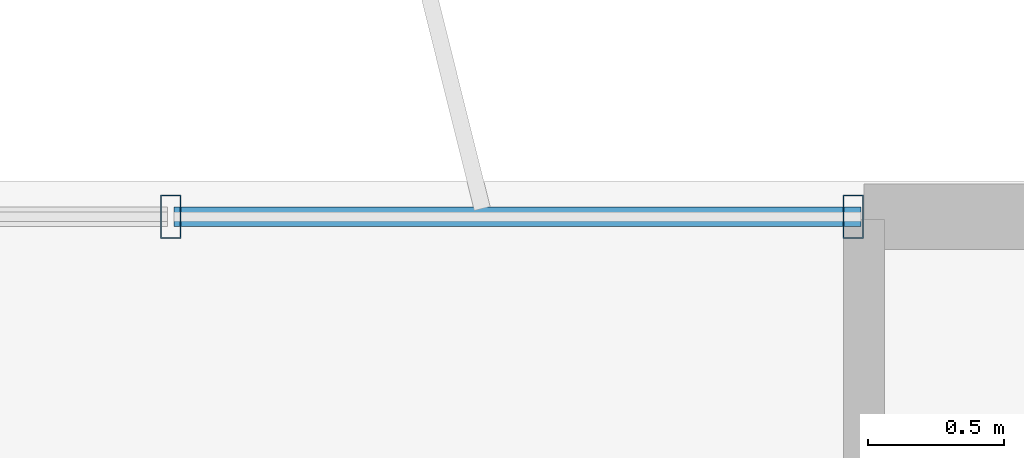
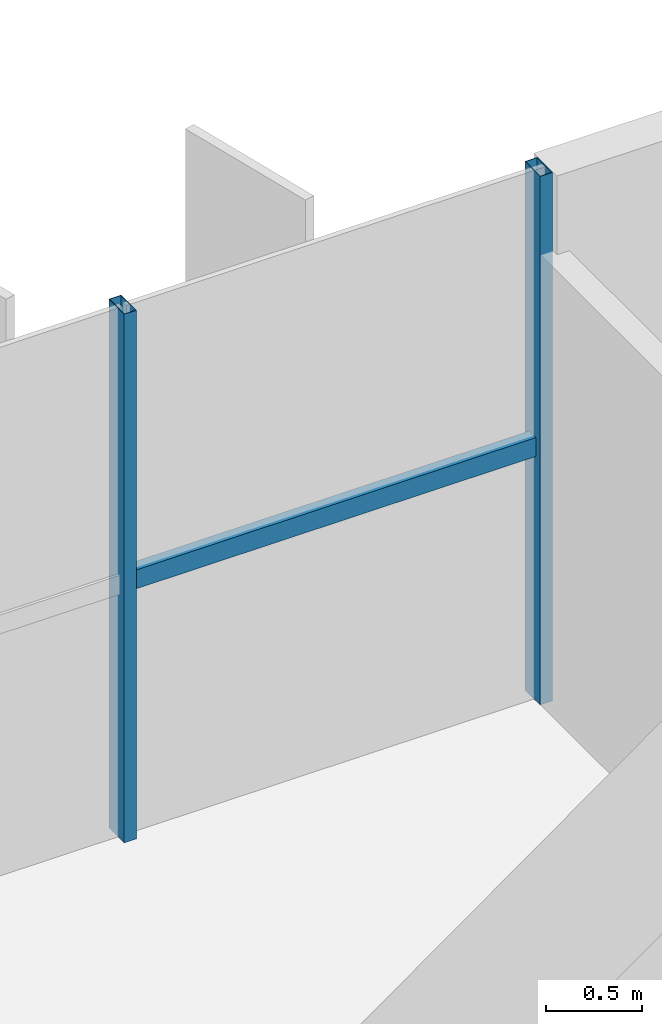
# One storey, part 14 of 23: 3 members, 1 element without a shape of its own.
"""IFC4 building model written with IfcOpenShell, lengths in metres."""

from ifc_helpers import new_model, si_unit, direction, frame, origin, origin_2d, place, context, subcontext, project, spatial, hollow_rectangle, extrude, source, transform, mapped, material, material_profile, profile_set, type_object, element, aggregate, save


model = new_model("IFC4")

# Units and contexts
model_context = context("Model", 3, precision=1e-05, world=origin(), true_north=direction((0.0, 1.0)))
body_context = subcontext(model_context, "Body", "Model", "MODEL_VIEW")
ifc_project = project(units=[si_unit("LENGTHUNIT", "METRE"), si_unit("AREAUNIT", "SQUARE_METRE"), si_unit("VOLUMEUNIT", "CUBIC_METRE"), si_unit("PLANEANGLEUNIT", "RADIAN"), si_unit("MASSUNIT", "GRAM", prefix="KILO")], contexts=[model_context])

# Site, building, storey
site_placement = place(None, origin())
site = spatial("IfcSite", under=ifc_project, at=site_placement, CompositionType="ELEMENT")
building_placement = place(site_placement, origin())
building = spatial("IfcBuilding", under=site, at=building_placement, Name="Trelvane Seafront Commons", CompositionType="ELEMENT")
storey_placement = place(building_placement, frame((0.0, 0.0, 212.10009765625)))
storey = spatial("IfcBuildingStorey", under=building, at=storey_placement, Name="L55", CompositionType="ELEMENT", Elevation=212.10009765625)

# Curtain wall, members
ifc_material = material(Name="Anodised pale-silver aluminium", Category="aluminium")
curtain_wall_type = type_object("IfcCurtainWallType", Name="ARCH-CW5-UPTOWER", PredefinedType="NOTDEFINED", material=ifc_material)
curtain_wall_placement = place(storey_placement, origin())
curtain_wall = element("IfcCurtainWall", 1, at=curtain_wall_placement, inside=storey, type_object=curtain_wall_type, Name="CW-L55-0098", PredefinedType="NOTDEFINED")
ifc_material_profile_1 = material_profile(ifc_material, hollow_rectangle(XDim=0.070068359375, YDim=0.1201171875, WallThickness=0.00390625, at=origin_2d()), Name="TRAN-70x120x4")
ifc_profile_set_1 = profile_set([ifc_material_profile_1], Name="Anodised pale-silver aluminium")
member_type_1 = type_object("IfcMemberType", Name="ARCH-CW-TRAN-120", PredefinedType="USERDEFINED", material=ifc_profile_set_1)
shared_shape_1 = source(origin(), body_context, "Body", "SweptSolid", [
    extrude(hollow_rectangle(XDim=0.070068359375, YDim=0.1201171875, WallThickness=0.00390625, at=origin_2d()), origin(), (0.0, 0.0, 1.0), 2.517333984375),
])
member_1_placement = place(storey_placement, frame((56.270751953125, 48.3701171875, 1.61279296875), z_axis=(1.0, 0.0, 0.0), x_axis=(0.0, 1.0, 0.0)))
member_1 = element("IfcMember", 2, at=member_1_placement, type_object=member_type_1, Name="CW-L55-0098-T16", ObjectType="TRANSOM", PredefinedType="USERDEFINED", context=body_context, shape_type="MappedRepresentation", body=[
    mapped(shared_shape_1, transform((0.0, 0.0, 0.0), x_axis=(1.0, 0.0, 0.0), y_axis=(0.0, 1.0, 0.0), z_axis=(0.0, 0.0, 1.0), scale=1.0)),
])
ifc_material_profile_2 = material_profile(ifc_material, hollow_rectangle(XDim=0.074951171875, YDim=0.159912109375, WallThickness=0.00390625, at=origin_2d()), Name="MULL-75x160x4")
ifc_profile_set_2 = profile_set([ifc_material_profile_2], Name="Anodised pale-silver aluminium")
member_type_2 = type_object("IfcMemberType", Name="ARCH-CW-MULL-160", PredefinedType="MULLION", material=ifc_profile_set_2)
shared_shape_2 = source(origin(), body_context, "Body", "SweptSolid", [
    extrude(hollow_rectangle(XDim=0.074951171875, YDim=0.159912109375, WallThickness=0.00390625, at=origin_2d()), origin(), (0.0, 0.0, 1.0), 3.35986328125),
])
member_2_placement = place(storey_placement, frame((56.2587890625, 48.3701171875, 0.0), z_axis=(0.0, 0.0, 1.0), x_axis=(1.0, 0.0, 0.0)))
member_2 = element("IfcMember", 3, at=member_2_placement, type_object=member_type_2, Name="CW-L55-0098-M16", PredefinedType="MULLION", context=body_context, shape_type="MappedRepresentation", body=[
    mapped(shared_shape_2, transform((0.0, 0.0, 0.0), x_axis=(1.0, 0.0, 0.0), y_axis=(0.0, 1.0, 0.0), z_axis=(0.0, 0.0, 1.0), scale=1.0)),
])
member_3_placement = place(storey_placement, frame((58.760009765625, 48.3701171875, 0.0), z_axis=(0.0, 0.0, 1.0), x_axis=(1.0, 0.0, 0.0)))
member_3 = element("IfcMember", 4, at=member_3_placement, type_object=member_type_2, Name="CW-L55-0098-M17", PredefinedType="MULLION", context=body_context, shape_type="MappedRepresentation", body=[
    mapped(shared_shape_2, transform((0.0, 0.0, 0.0), x_axis=(1.0, 0.0, 0.0), y_axis=(0.0, 1.0, 0.0), z_axis=(0.0, 0.0, 1.0), scale=1.0)),
])
aggregate(curtain_wall, [member_2, member_3, member_1])

save(model, "model.ifc")
